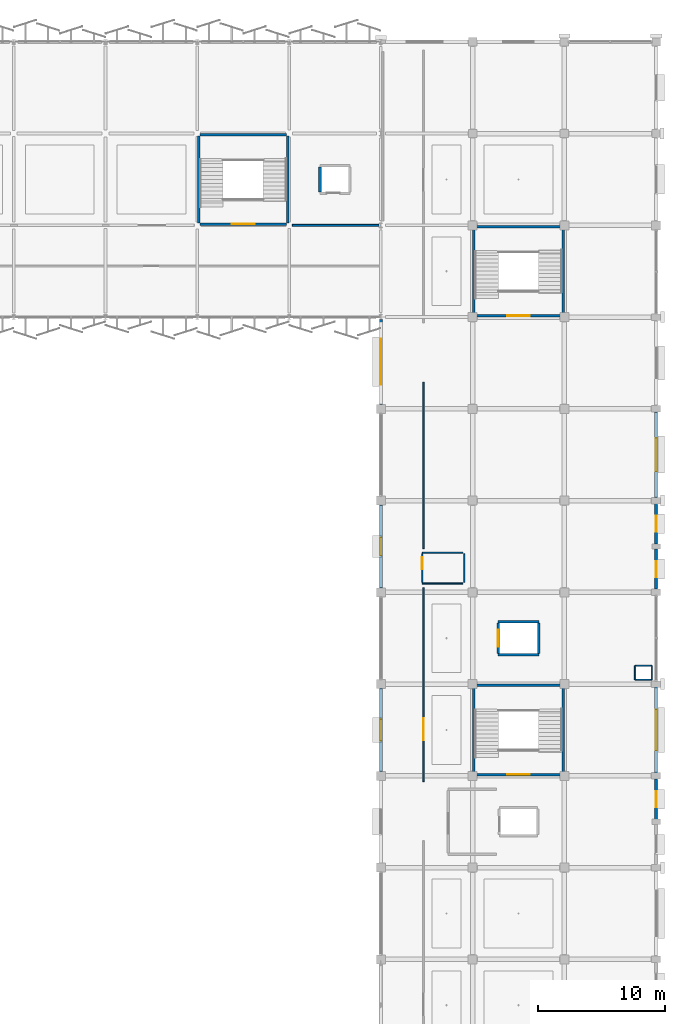
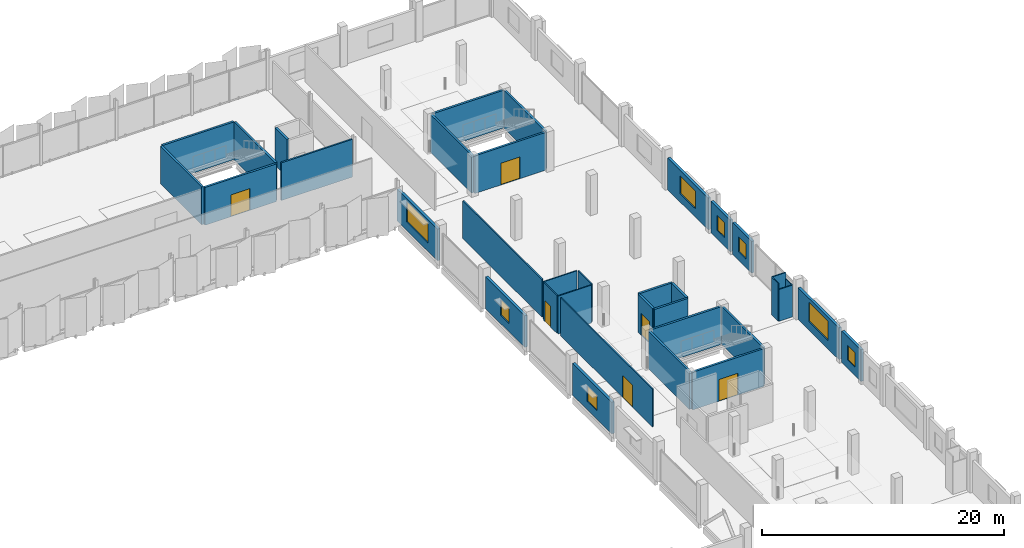
# One storey, part 72 of 91: 36 walls, 8 windows, 6 doors, 14 openings.
"""IFC4 building model written with IfcOpenShell, lengths in metres."""

from ifc_helpers import new_model, si_unit, direction, frame, frame_2d, origin, place, context, subcontext, project, spatial, rectangle, extrude, material, layer, layer_set, type_object, element, fill, save


model = new_model("IFC4")

# Units and contexts
model_context = context("Model", 3, precision=1e-05, world=origin(), true_north=direction((0.0, 1.0)))
body_context = subcontext(model_context, "Body", "Model", "MODEL_VIEW")
ifc_project = project(units=[si_unit("LENGTHUNIT", "METRE"), si_unit("AREAUNIT", "SQUARE_METRE"), si_unit("VOLUMEUNIT", "CUBIC_METRE"), si_unit("PLANEANGLEUNIT", "RADIAN"), si_unit("MASSUNIT", "GRAM", prefix="KILO")], contexts=[model_context])

# Site, building, storey
site_placement = place(None, origin())
site = spatial("IfcSite", under=ifc_project, at=site_placement, CompositionType="ELEMENT")
building_placement = place(site_placement, origin())
building = spatial("IfcBuilding", under=site, at=building_placement, Name="Kangsadwip Square Police Headquarters", CompositionType="ELEMENT")
storey_placement = place(building_placement, frame((0.0, 0.0, 13.5)))
storey = spatial("IfcBuildingStorey", under=building, at=storey_placement, Name="L03", CompositionType="ELEMENT", Elevation=13.5)

# Wall, opening, door
ifc_material_1 = material(Name="Fire-rated double gypsum board acoustic stud partition", Category="masonry")
ifc_layer_1 = layer(ifc_material_1, 0.1201171875)
ifc_layer_set_1 = layer_set([ifc_layer_1], Name="Fire-rated double gypsum board acoustic stud partition")
wall_type_1 = type_object("IfcWallType", Name="AcousticPartition120", PredefinedType="PARTITIONING", material=ifc_layer_set_1)
wall_1_placement = place(storey_placement, frame((147.35009765625, 57.14990234375, 0.0), z_axis=(0.0, 0.0, 1.0), x_axis=(0.0, 1.0, 0.0)))
wall_1 = element("IfcWall", 1, at=wall_1_placement, inside=storey, type_object=wall_type_1, Name="Interior Wall WI-L03-0825", PredefinedType="PARTITIONING", context=body_context, shape_type="SweptSolid", body=[
    extrude(rectangle(XDim=15.22021484375, YDim=0.1201171875, at=frame_2d((7.610107421875, 0.0))), origin(), (0.0, 0.0, 1.0), 3.81005859375),
])
opening_1_placement = place(wall_1_placement, frame((3.2548828125, 0.0, 0.0)))
opening_1 = element("IfcOpeningElement", 2, at=opening_1_placement, cuts=wall_1, Name="Opening ID-17", PredefinedType="OPENING", context=body_context, shape_type="SweptSolid", body=[
    extrude(rectangle(XDim=1.699951171875, YDim=2.199951171875, at=frame_2d((0.85009765625, 1.10009765625))), frame((0.0, 0.070068359375, 0.0), z_axis=(0.0, -1.0, 0.0), x_axis=(1.0, 0.0, 0.0)), (0.0, 0.0, 1.0), 0.14013671875),
])
ifc_material_2 = material(Name="Insulated galvanized steel fire-rated door assembly", Category="steel")
door_type_1 = type_object("IfcDoorType", Name="LabDoubleDoor1700x2200", OperationType="DOUBLE_DOOR_SINGLE_SWING", PredefinedType="DOOR", material=ifc_material_2)
door_1_placement = place(opening_1_placement, origin())
door_1 = element("IfcDoor", 3, at=door_1_placement, inside=storey, type_object=door_type_1, Name="Interior Door ID-L03-0217", OperationType="DOUBLE_DOOR_SINGLE_SWING", OverallHeight=2.199951171875, OverallWidth=1.699951171875, PredefinedType="DOOR", context=body_context, shape_type="SweptSolid", body=[
    extrude(rectangle(XDim=1.699951171875, YDim=2.199951171875, at=frame_2d((0.85009765625, 1.10009765625))), frame((0.0, 0.02490234375, 0.0), z_axis=(0.0, -1.0, 0.0), x_axis=(1.0, 0.0, 0.0)), (0.0, 0.0, 1.0), 0.050048828125),
])
fill(opening_1, door_1)

# Walls
wall_2_placement = place(storey_placement, frame((147.35009765625, 75.429931640625, 0.0), z_axis=(0.0, 0.0, 1.0), x_axis=(0.0, 1.0, 0.0)))
element("IfcWall", 4, at=wall_2_placement, inside=storey, type_object=wall_type_1, Name="Interior Wall WI-L03-0826", PredefinedType="PARTITIONING", context=body_context, shape_type="SweptSolid", body=[
    extrude(rectangle(XDim=13.070068359375, YDim=0.1201171875, at=frame_2d((6.53515625, 0.0))), origin(), (0.0, 0.0, 1.0), 3.81005859375),
])
ifc_material_3 = material(Name="Autoclaved aerated concrete blockwork masonry", Category="masonry")
ifc_layer_2 = layer(ifc_material_3, 0.14990234375)
ifc_layer_set_2 = layer_set([ifc_layer_2], Name="Autoclaved aerated concrete blockwork masonry")
wall_type_2 = type_object("IfcWallType", Name="BlockPartition150", PredefinedType="PARTITIONING", material=ifc_layer_set_2)
wall_3_placement = place(storey_placement, frame((137.050048828125, 100.800048828125, 0.0), z_axis=(0.0, 0.0, 1.0), x_axis=(1.0, 0.0, 0.0)))
element("IfcWall", 5, at=wall_3_placement, inside=storey, type_object=wall_type_2, Name="Interior Wall WI-L03-0817", PredefinedType="PARTITIONING", context=body_context, shape_type="SweptSolid", body=[
    extrude(rectangle(XDim=6.800048828125, YDim=0.14990234375, at=frame_2d((3.39990234375, 0.0))), origin(), (0.0, 0.0, 1.0), 3.81005859375),
])

# Wall, opening, window
ifc_material_4 = material(Name="Glazed architectural terracotta masonry rainscreen", Category="masonry")
ifc_layer_3 = layer(ifc_material_4, 0.25)
ifc_layer_set_3 = layer_set([ifc_layer_3], Name="Glazed architectural terracotta masonry rainscreen")
wall_type_3 = type_object("IfcWallType", Name="ChicagoTerracottaWall250", PredefinedType="SOLIDWALL", material=ifc_layer_set_3)
wall_4_placement = place(storey_placement, frame((144.0, 57.945068359375, 0.0), z_axis=(0.0, 0.0, 1.0), x_axis=(0.0, 1.0, 0.0)))
wall_4 = element("IfcWall", 6, at=wall_4_placement, inside=storey, type_object=wall_type_3, Name="Exterior Wall WE-L03-404", PredefinedType="SOLIDWALL", context=body_context, shape_type="SweptSolid", body=[
    extrude(rectangle(XDim=6.510009765625, YDim=0.25, at=frame_2d((3.2548828125, 0.0))), origin(), (0.0, 0.0, 1.0), 3.195068359375),
])
opening_2_placement = place(wall_4_placement, frame((2.429931640625, 0.0, 0.85009765625)))
opening_2 = element("IfcOpeningElement", 7, at=opening_2_placement, cuts=wall_4, Name="Opening WN-11", PredefinedType="OPENING", context=body_context, shape_type="SweptSolid", body=[
    extrude(rectangle(XDim=1.64990234375, YDim=1.550048828125, at=frame_2d((0.824951171875, 0.77490234375))), frame((0.0, 0.135009765625, 0.0), z_axis=(0.0, -1.0, 0.0), x_axis=(1.0, 0.0, 0.0)), (0.0, 0.0, 1.0), 0.27001953125),
])
ifc_material_5 = material(Name="Double-glazed solar-control low-E safety glass", Category="glass")
window_type_1 = type_object("IfcWindowType", Name="LabCleanViewWin1650x1550", PartitioningType="SINGLE_PANEL", PredefinedType="WINDOW", material=ifc_material_5)
window_1_placement = place(opening_2_placement, origin())
window_1 = element("IfcWindow", 8, at=window_1_placement, inside=storey, type_object=window_type_1, Name="Window WN-L03-0255", OverallHeight=1.550048828125, OverallWidth=1.64990234375, PartitioningType="SINGLE_PANEL", PredefinedType="WINDOW", context=body_context, shape_type="SweptSolid", body=[
    extrude(rectangle(XDim=1.64990234375, YDim=1.550048828125, at=frame_2d((0.824951171875, 0.77490234375))), frame((0.0, 0.030029296875, 0.0), z_axis=(0.0, -1.0, 0.0), x_axis=(1.0, 0.0, 0.0)), (0.0, 0.0, 1.0), 0.06005859375),
])
fill(opening_2, window_1)

wall_5_placement = place(storey_placement, frame((144.0, 72.344970703125, 0.0), z_axis=(0.0, 0.0, 1.0), x_axis=(0.0, 1.0, 0.0)))
wall_5 = element("IfcWall", 9, at=wall_5_placement, inside=storey, type_object=wall_type_3, Name="Exterior Wall WE-L03-405", PredefinedType="SOLIDWALL", context=body_context, shape_type="SweptSolid", body=[
    extrude(rectangle(XDim=6.510009765625, YDim=0.25, at=frame_2d((3.2548828125, 0.0))), origin(), (0.0, 0.0, 1.0), 3.195068359375),
])
opening_3_placement = place(wall_5_placement, frame((2.554931640625, 0.0, 0.85009765625)))
opening_3 = element("IfcOpeningElement", 10, at=opening_3_placement, cuts=wall_5, Name="Opening WN-13", PredefinedType="OPENING", context=body_context, shape_type="SweptSolid", body=[
    extrude(rectangle(XDim=1.39990234375, YDim=1.60009765625, at=frame_2d((0.699951171875, 0.800048828125))), frame((0.0, 0.135009765625, 0.0), z_axis=(0.0, -1.0, 0.0), x_axis=(1.0, 0.0, 0.0)), (0.0, 0.0, 1.0), 0.27001953125),
])
ifc_material_6 = material(Name="Double-glazed solar-control low-E safety glass", Category="glass")
window_type_2 = type_object("IfcWindowType", Name="OfficeCasementWin1400x1600", PartitioningType="SINGLE_PANEL", PredefinedType="WINDOW", material=ifc_material_6)
window_2_placement = place(opening_3_placement, origin())
window_2 = element("IfcWindow", 11, at=window_2_placement, inside=storey, type_object=window_type_2, Name="Window WN-L03-0256", OverallHeight=1.60009765625, OverallWidth=1.39990234375, PartitioningType="SINGLE_PANEL", PredefinedType="WINDOW", context=body_context, shape_type="SweptSolid", body=[
    extrude(rectangle(XDim=1.39990234375, YDim=1.60009765625, at=frame_2d((0.699951171875, 0.800048828125))), frame((0.0, 0.030029296875, 0.0), z_axis=(0.0, -1.0, 0.0), x_axis=(1.0, 0.0, 0.0)), (0.0, 0.0, 1.0), 0.06005859375),
])
fill(opening_3, window_2)

wall_6_placement = place(storey_placement, frame((144.0, 86.7451171875, 0.0), z_axis=(0.0, 0.0, 1.0), x_axis=(0.0, 1.0, 0.0)))
wall_6 = element("IfcWall", 12, at=wall_6_placement, inside=storey, type_object=wall_type_3, Name="Exterior Wall WE-L03-406", PredefinedType="SOLIDWALL", context=body_context, shape_type="SweptSolid", body=[
    extrude(rectangle(XDim=6.677001953125, YDim=0.25, at=frame_2d((3.33837890625, 0.0))), origin(), (0.0, 0.0, 1.0), 3.195068359375),
])
opening_4_placement = place(wall_6_placement, frame((1.53857421875, 0.0, 0.85009765625)))
opening_4 = element("IfcOpeningElement", 13, at=opening_4_placement, cuts=wall_6, Name="Opening WN-01", PredefinedType="OPENING", context=body_context, shape_type="SweptSolid", body=[
    extrude(rectangle(XDim=3.60009765625, YDim=2.050048828125, at=frame_2d((1.800048828125, 1.02490234375))), frame((0.0, 0.135009765625, 0.0), z_axis=(0.0, -1.0, 0.0), x_axis=(1.0, 0.0, 0.0)), (0.0, 0.0, 1.0), 0.27001953125),
])
ifc_material_7 = material(Name="Double-glazed solar-control low-E safety glass", Category="glass")
window_type_3 = type_object("IfcWindowType", Name="ChicagoTripartiteWin3600x2050", PartitioningType="TRIPLE_PANEL_HORIZONTAL", PredefinedType="WINDOW", material=ifc_material_7)
window_3_placement = place(opening_4_placement, origin())
window_3 = element("IfcWindow", 14, at=window_3_placement, inside=storey, type_object=window_type_3, Name="Window WN-L03-0257", OverallHeight=2.050048828125, OverallWidth=3.60009765625, PartitioningType="SINGLE_PANEL", PredefinedType="WINDOW", context=body_context, shape_type="SweptSolid", body=[
    extrude(rectangle(XDim=3.60009765625, YDim=2.050048828125, at=frame_2d((1.800048828125, 1.02490234375))), frame((0.0, 0.030029296875, 0.0), z_axis=(0.0, -1.0, 0.0), x_axis=(1.0, 0.0, 0.0)), (0.0, 0.0, 1.0), 0.06005859375),
])
fill(opening_4, window_3)

wall_7_placement = place(storey_placement, frame((165.60009765625, 54.195068359375, 0.0), z_axis=(0.0, 0.0, 1.0), x_axis=(0.0, 1.0, 0.0)))
wall_7 = element("IfcWall", 15, at=wall_7_placement, inside=storey, type_object=wall_type_3, Name="Exterior Wall WE-L03-413", PredefinedType="SOLIDWALL", context=body_context, shape_type="SweptSolid", body=[
    extrude(rectangle(XDim=3.159912109375, YDim=0.25, at=frame_2d((1.580078125, 0.0))), origin(), (0.0, 0.0, 1.0), 3.195068359375),
])
opening_5_placement = place(wall_7_placement, frame((0.955078125, 0.0, 0.85009765625)))
opening_5 = element("IfcOpeningElement", 16, at=opening_5_placement, cuts=wall_7, Name="Opening WN-14", PredefinedType="OPENING", context=body_context, shape_type="SweptSolid", body=[
    extrude(rectangle(XDim=1.25, YDim=1.5, at=frame_2d((0.625, 0.75))), frame((0.0, 0.135009765625, 0.0), z_axis=(0.0, -1.0, 0.0), x_axis=(1.0, 0.0, 0.0)), (0.0, 0.0, 1.0), 0.27001953125),
])
ifc_material_8 = material(Name="Double-glazed solar-control low-E safety glass", Category="glass")
window_type_4 = type_object("IfcWindowType", Name="OfficeCasementWin1250x1500", PartitioningType="SINGLE_PANEL", PredefinedType="WINDOW", material=ifc_material_8)
window_4_placement = place(opening_5_placement, origin())
window_4 = element("IfcWindow", 17, at=window_4_placement, inside=storey, type_object=window_type_4, Name="Window WN-L03-0264", OverallHeight=1.5, OverallWidth=1.25, PartitioningType="SINGLE_PANEL", PredefinedType="WINDOW", context=body_context, shape_type="SweptSolid", body=[
    extrude(rectangle(XDim=1.25, YDim=1.5, at=frame_2d((0.625, 0.75))), frame((0.0, 0.030029296875, 0.0), z_axis=(0.0, -1.0, 0.0), x_axis=(1.0, 0.0, 0.0)), (0.0, 0.0, 1.0), 0.06005859375),
])
fill(opening_5, window_4)

wall_8_placement = place(storey_placement, frame((165.60009765625, 57.844970703125, 0.0), z_axis=(0.0, 0.0, 1.0), x_axis=(0.0, 1.0, 0.0)))
wall_8 = element("IfcWall", 18, at=wall_8_placement, inside=storey, type_object=wall_type_3, Name="Exterior Wall WE-L03-414", PredefinedType="SOLIDWALL", context=body_context, shape_type="SweptSolid", body=[
    extrude(rectangle(XDim=6.7099609375, YDim=0.25, at=frame_2d((3.35498046875, 0.0))), origin(), (0.0, 0.0, 1.0), 3.195068359375),
])
opening_6_placement = place(wall_8_placement, frame((1.7548828125, 0.0, 0.85009765625)))
opening_6 = element("IfcOpeningElement", 19, at=opening_6_placement, cuts=wall_8, Name="Opening WN-03", PredefinedType="OPENING", context=body_context, shape_type="SweptSolid", body=[
    extrude(rectangle(XDim=3.199951171875, YDim=1.949951171875, at=frame_2d((1.60009765625, 0.97509765625))), frame((0.0, 0.135009765625, 0.0), z_axis=(0.0, -1.0, 0.0), x_axis=(1.0, 0.0, 0.0)), (0.0, 0.0, 1.0), 0.27001953125),
])
ifc_material_9 = material(Name="Double-glazed solar-control low-E safety glass", Category="glass")
window_type_5 = type_object("IfcWindowType", Name="ChicagoTripartiteWin3200x1950", PartitioningType="TRIPLE_PANEL_HORIZONTAL", PredefinedType="WINDOW", material=ifc_material_9)
window_5_placement = place(opening_6_placement, origin())
window_5 = element("IfcWindow", 20, at=window_5_placement, inside=storey, type_object=window_type_5, Name="Window WN-L03-0265", OverallHeight=1.949951171875, OverallWidth=3.199951171875, PartitioningType="SINGLE_PANEL", PredefinedType="WINDOW", context=body_context, shape_type="SweptSolid", body=[
    extrude(rectangle(XDim=3.199951171875, YDim=1.949951171875, at=frame_2d((1.60009765625, 0.97509765625))), frame((0.0, 0.030029296875, 0.0), z_axis=(0.0, -1.0, 0.0), x_axis=(1.0, 0.0, 0.0)), (0.0, 0.0, 1.0), 0.06005859375),
])
fill(opening_6, window_5)

wall_9_placement = place(storey_placement, frame((165.60009765625, 72.2451171875, 0.0), z_axis=(0.0, 0.0, 1.0), x_axis=(0.0, 1.0, 0.0)))
wall_9 = element("IfcWall", 21, at=wall_9_placement, inside=storey, type_object=wall_type_3, Name="Exterior Wall WE-L03-415", PredefinedType="SOLIDWALL", context=body_context, shape_type="SweptSolid", body=[
    extrude(rectangle(XDim=3.159912109375, YDim=0.25, at=frame_2d((1.580078125, 0.0))), origin(), (0.0, 0.0, 1.0), 3.195068359375),
])
opening_7_placement = place(wall_9_placement, frame((0.955078125, 0.0, 0.85009765625)))
opening_7 = element("IfcOpeningElement", 22, at=opening_7_placement, cuts=wall_9, Name="Opening WN-14", PredefinedType="OPENING", context=body_context, shape_type="SweptSolid", body=[
    extrude(rectangle(XDim=1.25, YDim=1.5, at=frame_2d((0.625, 0.75))), frame((0.0, 0.135009765625, 0.0), z_axis=(0.0, -1.0, 0.0), x_axis=(1.0, 0.0, 0.0)), (0.0, 0.0, 1.0), 0.27001953125),
])
window_6_placement = place(opening_7_placement, origin())
window_6 = element("IfcWindow", 23, at=window_6_placement, inside=storey, type_object=window_type_4, Name="Window WN-L03-0266", OverallHeight=1.5, OverallWidth=1.25, PartitioningType="SINGLE_PANEL", PredefinedType="WINDOW", context=body_context, shape_type="SweptSolid", body=[
    extrude(rectangle(XDim=1.25, YDim=1.5, at=frame_2d((0.625, 0.75))), frame((0.0, 0.030029296875, 0.0), z_axis=(0.0, -1.0, 0.0), x_axis=(1.0, 0.0, 0.0)), (0.0, 0.0, 1.0), 0.06005859375),
])
fill(opening_7, window_6)

wall_10_placement = place(storey_placement, frame((165.60009765625, 75.794921875, 0.0), z_axis=(0.0, 0.0, 1.0), x_axis=(0.0, 1.0, 0.0)))
wall_10 = element("IfcWall", 24, at=wall_10_placement, inside=storey, type_object=wall_type_3, Name="Exterior Wall WE-L03-416", PredefinedType="SOLIDWALL", context=body_context, shape_type="SweptSolid", body=[
    extrude(rectangle(XDim=3.16015625, YDim=0.25, at=frame_2d((1.580078125, 0.0))), origin(), (0.0, 0.0, 1.0), 3.195068359375),
])
opening_8_placement = place(wall_10_placement, frame((0.955078125, 0.0, 0.85009765625)))
opening_8 = element("IfcOpeningElement", 25, at=opening_8_placement, cuts=wall_10, Name="Opening WN-14", PredefinedType="OPENING", context=body_context, shape_type="SweptSolid", body=[
    extrude(rectangle(XDim=1.25, YDim=1.5, at=frame_2d((0.625, 0.75))), frame((0.0, 0.135009765625, 0.0), z_axis=(0.0, -1.0, 0.0), x_axis=(1.0, 0.0, 0.0)), (0.0, 0.0, 1.0), 0.27001953125),
])
window_7_placement = place(opening_8_placement, origin())
window_7 = element("IfcWindow", 26, at=window_7_placement, inside=storey, type_object=window_type_4, Name="Window WN-L03-0267", OverallHeight=1.5, OverallWidth=1.25, PartitioningType="SINGLE_PANEL", PredefinedType="WINDOW", context=body_context, shape_type="SweptSolid", body=[
    extrude(rectangle(XDim=1.25, YDim=1.5, at=frame_2d((0.625, 0.75))), frame((0.0, 0.030029296875, 0.0), z_axis=(0.0, -1.0, 0.0), x_axis=(1.0, 0.0, 0.0)), (0.0, 0.0, 1.0), 0.06005859375),
])
fill(opening_8, window_7)

wall_11_placement = place(storey_placement, frame((165.60009765625, 79.445068359375, 0.0), z_axis=(0.0, 0.0, 1.0), x_axis=(0.0, 1.0, 0.0)))
wall_11 = element("IfcWall", 27, at=wall_11_placement, inside=storey, type_object=wall_type_3, Name="Exterior Wall WE-L03-417", PredefinedType="SOLIDWALL", context=body_context, shape_type="SweptSolid", body=[
    extrude(rectangle(XDim=6.7099609375, YDim=0.25, at=frame_2d((3.35498046875, 0.0))), origin(), (0.0, 0.0, 1.0), 3.195068359375),
])
opening_9_placement = place(wall_11_placement, frame((2.054931640625, 0.0, 0.85009765625)))
opening_9 = element("IfcOpeningElement", 28, at=opening_9_placement, cuts=wall_11, Name="Opening WN-06", PredefinedType="OPENING", context=body_context, shape_type="SweptSolid", body=[
    extrude(rectangle(XDim=2.60009765625, YDim=1.800048828125, at=frame_2d((1.300048828125, 0.89990234375))), frame((0.0, 0.135009765625, 0.0), z_axis=(0.0, -1.0, 0.0), x_axis=(1.0, 0.0, 0.0)), (0.0, 0.0, 1.0), 0.27001953125),
])
ifc_material_10 = material(Name="Double-glazed solar-control low-E safety glass", Category="glass")
window_type_6 = type_object("IfcWindowType", Name="ChicagoDoubleMullWin2600x1800", PartitioningType="DOUBLE_PANEL_VERTICAL", PredefinedType="WINDOW", material=ifc_material_10)
window_8_placement = place(opening_9_placement, origin())
window_8 = element("IfcWindow", 29, at=window_8_placement, inside=storey, type_object=window_type_6, Name="Window WN-L03-0268", OverallHeight=1.800048828125, OverallWidth=2.60009765625, PartitioningType="SINGLE_PANEL", PredefinedType="WINDOW", context=body_context, shape_type="SweptSolid", body=[
    extrude(rectangle(XDim=2.60009765625, YDim=1.800048828125, at=frame_2d((1.300048828125, 0.89990234375))), frame((0.0, 0.030029296875, 0.0), z_axis=(0.0, -1.0, 0.0), x_axis=(1.0, 0.0, 0.0)), (0.0, 0.0, 1.0), 0.06005859375),
])
fill(opening_9, window_8)

# Wall, opening, door
ifc_material_11 = material(Name="Concrete M40 (40 MPa)", Category="concrete")
ifc_layer_4 = layer(ifc_material_11, 0.199951171875)
ifc_layer_set_4 = layer_set([ifc_layer_4], Name="Concrete M40 (40 MPa)")
wall_type_4 = type_object("IfcWallType", Name="CoreShearWall200", PredefinedType="SHEAR", material=ifc_layer_set_4)
wall_12_placement = place(storey_placement, frame((151.39990234375, 57.699951171875, 0.0), z_axis=(0.0, 0.0, 1.0), x_axis=(1.0, 0.0, 0.0)))
wall_12 = element("IfcWall", 30, at=wall_12_placement, inside=storey, type_object=wall_type_4, Name="Interior Wall WI-L03-0105", PredefinedType="SHEAR", context=body_context, shape_type="SweptSolid", body=[
    extrude(rectangle(XDim=6.800048828125, YDim=0.199951171875, at=frame_2d((3.39990234375, 0.0))), origin(), (0.0, 0.0, 1.0), 3.81005859375),
])
opening_10_placement = place(wall_12_placement, frame((2.5, 0.0, 0.0)))
opening_10 = element("IfcOpeningElement", 31, at=opening_10_placement, cuts=wall_12, Name="Opening FD-18", PredefinedType="OPENING", context=body_context, shape_type="SweptSolid", body=[
    extrude(rectangle(XDim=1.800048828125, YDim=2.199951171875, at=frame_2d((0.89990234375, 1.10009765625))), frame((0.0, 0.10986328125, 0.0), z_axis=(0.0, -1.0, 0.0), x_axis=(1.0, 0.0, 0.0)), (0.0, 0.0, 1.0), 0.219970703125),
])
ifc_material_12 = material(Name="Insulated galvanized steel fire-rated door assembly", Category="steel")
door_type_2 = type_object("IfcDoorType", Name="StairFireDoor1800x2200", OperationType="DOUBLE_DOOR_SINGLE_SWING", PredefinedType="DOOR", material=ifc_material_12)
door_2_placement = place(opening_10_placement, origin())
door_2 = element("IfcDoor", 32, at=door_2_placement, inside=storey, type_object=door_type_2, Name="Interior Door ID-L03-0023", OperationType="DOUBLE_DOOR_SINGLE_SWING", OverallHeight=2.199951171875, OverallWidth=1.800048828125, PredefinedType="DOOR", context=body_context, shape_type="SweptSolid", body=[
    extrude(rectangle(XDim=1.800048828125, YDim=2.199951171875, at=frame_2d((0.89990234375, 1.10009765625))), frame((0.0, 0.02490234375, 0.0), z_axis=(0.0, -1.0, 0.0), x_axis=(1.0, 0.0, 0.0)), (0.0, 0.0, 1.0), 0.050048828125),
])
fill(opening_10, door_2)

# Walls
for number, where, z_axis, x_axis, name in (
    (33, (151.39990234375, 64.699951171875, 0.0), (0.0, 0.0, 1.0), (1.0, 0.0, 0.0), "Interior Wall WI-L03-0106"),
    (34, (151.300048828125, 57.800048828125, 0.0), (0.0, 0.0, 1.0), (0.0, 1.0, 0.0), "Interior Wall WI-L03-0107"),
    (35, (158.300048828125, 57.800048828125, 0.0), (0.0, 0.0, 1.0), (0.0, 1.0, 0.0), "Interior Wall WI-L03-0108"),
):
    element("IfcWall", number, at=place(storey_placement, frame(where, z_axis=z_axis, x_axis=x_axis)), inside=storey, type_object=wall_type_4, Name=name, PredefinedType="SHEAR", context=body_context, shape_type="SweptSolid", body=[
        extrude(rectangle(XDim=6.800048828125, YDim=0.199951171875, at=frame_2d((3.39990234375, 0.0))), origin(), (0.0, 0.0, 1.0), 3.81005859375),
    ])

# Wall, opening, door
wall_13_placement = place(storey_placement, frame((151.39990234375, 93.699951171875, 0.0), z_axis=(0.0, 0.0, 1.0), x_axis=(1.0, 0.0, 0.0)))
wall_13 = element("IfcWall", 36, at=wall_13_placement, inside=storey, type_object=wall_type_4, Name="Interior Wall WI-L03-0141", PredefinedType="SHEAR", context=body_context, shape_type="SweptSolid", body=[
    extrude(rectangle(XDim=6.800048828125, YDim=0.199951171875, at=frame_2d((3.39990234375, 0.0))), origin(), (0.0, 0.0, 1.0), 3.81005859375),
])
opening_11_placement = place(wall_13_placement, frame((2.5, 0.0, 0.0)))
opening_11 = element("IfcOpeningElement", 37, at=opening_11_placement, cuts=wall_13, Name="Opening FD-18", PredefinedType="OPENING", context=body_context, shape_type="SweptSolid", body=[
    extrude(rectangle(XDim=1.800048828125, YDim=2.199951171875, at=frame_2d((0.89990234375, 1.10009765625))), frame((0.0, 0.10986328125, 0.0), z_axis=(0.0, -1.0, 0.0), x_axis=(1.0, 0.0, 0.0)), (0.0, 0.0, 1.0), 0.219970703125),
])
door_3_placement = place(opening_11_placement, origin())
door_3 = element("IfcDoor", 38, at=door_3_placement, inside=storey, type_object=door_type_2, Name="Interior Door ID-L03-0032", OperationType="DOUBLE_DOOR_SINGLE_SWING", OverallHeight=2.199951171875, OverallWidth=1.800048828125, PredefinedType="DOOR", context=body_context, shape_type="SweptSolid", body=[
    extrude(rectangle(XDim=1.800048828125, YDim=2.199951171875, at=frame_2d((0.89990234375, 1.10009765625))), frame((0.0, 0.02490234375, 0.0), z_axis=(0.0, -1.0, 0.0), x_axis=(1.0, 0.0, 0.0)), (0.0, 0.0, 1.0), 0.050048828125),
])
fill(opening_11, door_3)

# Walls
for number, where, z_axis, x_axis, name in (
    (39, (151.39990234375, 100.699951171875, 0.0), (0.0, 0.0, 1.0), (1.0, 0.0, 0.0), "Interior Wall WI-L03-0142"),
    (40, (151.300048828125, 93.800048828125, 0.0), (0.0, 0.0, 1.0), (0.0, 1.0, 0.0), "Interior Wall WI-L03-0143"),
    (41, (158.300048828125, 93.800048828125, 0.0), (0.0, 0.0, 1.0), (0.0, 1.0, 0.0), "Interior Wall WI-L03-0144"),
):
    element("IfcWall", number, at=place(storey_placement, frame(where, z_axis=z_axis, x_axis=x_axis)), inside=storey, type_object=wall_type_4, Name=name, PredefinedType="SHEAR", context=body_context, shape_type="SweptSolid", body=[
        extrude(rectangle(XDim=6.800048828125, YDim=0.199951171875, at=frame_2d((3.39990234375, 0.0))), origin(), (0.0, 0.0, 1.0), 3.81005859375),
    ])

# Wall, opening, door
wall_14_placement = place(storey_placement, frame((129.800048828125, 100.89990234375, 0.0), z_axis=(0.0, 0.0, 1.0), x_axis=(1.0, 0.0, 0.0)))
wall_14 = element("IfcWall", 42, at=wall_14_placement, inside=storey, type_object=wall_type_4, Name="Interior Wall WI-L03-0169", PredefinedType="SHEAR", context=body_context, shape_type="SweptSolid", body=[
    extrude(rectangle(XDim=6.800048828125, YDim=0.199951171875, at=frame_2d((3.39990234375, 0.0))), origin(), (0.0, 0.0, 1.0), 3.81005859375),
])
opening_12_placement = place(wall_14_placement, frame((2.5, 0.0, 0.0)))
opening_12 = element("IfcOpeningElement", 43, at=opening_12_placement, cuts=wall_14, Name="Opening FD-18", PredefinedType="OPENING", context=body_context, shape_type="SweptSolid", body=[
    extrude(rectangle(XDim=1.800048828125, YDim=2.199951171875, at=frame_2d((0.89990234375, 1.10009765625))), frame((0.0, 0.10986328125, 0.0), z_axis=(0.0, -1.0, 0.0), x_axis=(1.0, 0.0, 0.0)), (0.0, 0.0, 1.0), 0.219970703125),
])
door_4_placement = place(opening_12_placement, origin())
door_4 = element("IfcDoor", 44, at=door_4_placement, inside=storey, type_object=door_type_2, Name="Interior Door ID-L03-0038", OperationType="DOUBLE_DOOR_SINGLE_SWING", OverallHeight=2.199951171875, OverallWidth=1.800048828125, PredefinedType="DOOR", context=body_context, shape_type="SweptSolid", body=[
    extrude(rectangle(XDim=1.800048828125, YDim=2.199951171875, at=frame_2d((0.89990234375, 1.10009765625))), frame((0.0, 0.02490234375, 0.0), z_axis=(0.0, -1.0, 0.0), x_axis=(1.0, 0.0, 0.0)), (0.0, 0.0, 1.0), 0.050048828125),
])
fill(opening_12, door_4)

# Walls
for number, where, z_axis, x_axis, name in (
    (45, (129.800048828125, 107.89990234375, 0.0), (0.0, 0.0, 1.0), (1.0, 0.0, 0.0), "Interior Wall WI-L03-0170"),
    (46, (129.699951171875, 101.0, 0.0), (0.0, 0.0, 1.0), (0.0, 1.0, 0.0), "Interior Wall WI-L03-0171"),
    (47, (136.699951171875, 101.0, 0.0), (0.0, 0.0, 1.0), (0.0, 1.0, 0.0), "Interior Wall WI-L03-0172"),
):
    element("IfcWall", number, at=place(storey_placement, frame(where, z_axis=z_axis, x_axis=x_axis)), inside=storey, type_object=wall_type_4, Name=name, PredefinedType="SHEAR", context=body_context, shape_type="SweptSolid", body=[
        extrude(rectangle(XDim=6.800048828125, YDim=0.199951171875, at=frame_2d((3.39990234375, 0.0))), origin(), (0.0, 0.0, 1.0), 3.81005859375),
    ])
for number, where, z_axis, x_axis, name in (
    (48, (153.199951171875, 67.10009765625, 0.0), (0.0, 0.0, 1.0), (1.0, 0.0, 0.0), "Interior Wall WI-L03-0443"),
    (49, (153.199951171875, 69.699951171875, 0.0), (0.0, 0.0, 1.0), (1.0, 0.0, 0.0), "Interior Wall WI-L03-0444"),
):
    element("IfcWall", number, at=place(storey_placement, frame(where, z_axis=z_axis, x_axis=x_axis)), inside=storey, type_object=wall_type_4, Name=name, PredefinedType="SHEAR", context=body_context, shape_type="SweptSolid", body=[
        extrude(rectangle(XDim=3.199951171875, YDim=0.199951171875, at=frame_2d((1.60009765625, 0.0))), origin(), (0.0, 0.0, 1.0), 3.81005859375),
    ])

# Wall, opening, door
wall_15_placement = place(storey_placement, frame((153.199951171875, 67.199951171875, 0.0), z_axis=(0.0, 0.0, 1.0), x_axis=(0.0, 1.0, 0.0)))
wall_15 = element("IfcWall", 50, at=wall_15_placement, inside=storey, type_object=wall_type_4, Name="Interior Wall WI-L03-0445", PredefinedType="SHEAR", context=body_context, shape_type="SweptSolid", body=[
    extrude(rectangle(XDim=2.400146484375, YDim=0.199951171875, at=frame_2d((1.2001953125, 0.0))), origin(), (0.0, 0.0, 1.0), 3.81005859375),
])
opening_13_placement = place(wall_15_placement, frame((0.52490234375, 0.0, 0.0)))
opening_13 = element("IfcOpeningElement", 51, at=opening_13_placement, cuts=wall_15, Name="Opening LD-049", PredefinedType="OPENING", context=body_context, shape_type="SweptSolid", body=[
    extrude(rectangle(XDim=1.35009765625, YDim=2.199951171875, at=frame_2d((0.675048828125, 1.10009765625))), frame((0.0, 0.10986328125, 0.0), z_axis=(0.0, -1.0, 0.0), x_axis=(1.0, 0.0, 0.0)), (0.0, 0.0, 1.0), 0.219970703125),
])
ifc_material_13 = material(Name="Brushed stainless steel automatic sliding lift landing door", Category="steel")
door_type_3 = type_object("IfcDoorType", Name="LiftLandingDoor1350x2200", OperationType="DOUBLE_DOOR_SLIDING", PredefinedType="DOOR", material=ifc_material_13)
door_5_placement = place(opening_13_placement, origin())
door_5 = element("IfcDoor", 52, at=door_5_placement, inside=storey, type_object=door_type_3, Name="Interior Door LD-049", OperationType="DOUBLE_DOOR_SLIDING", OverallHeight=2.199951171875, OverallWidth=1.35009765625, PredefinedType="DOOR", context=body_context, shape_type="SweptSolid", body=[
    extrude(rectangle(XDim=1.35009765625, YDim=2.199951171875, at=frame_2d((0.675048828125, 1.10009765625))), frame((0.0, 0.02490234375, 0.0), z_axis=(0.0, -1.0, 0.0), x_axis=(1.0, 0.0, 0.0)), (0.0, 0.0, 1.0), 0.050048828125),
])
fill(opening_13, door_5)

# Walls
wall_16_placement = place(storey_placement, frame((156.39990234375, 67.199951171875, 0.0), z_axis=(0.0, 0.0, 1.0), x_axis=(0.0, 1.0, 0.0)))
element("IfcWall", 53, at=wall_16_placement, inside=storey, type_object=wall_type_4, Name="Interior Wall WI-L03-0446", PredefinedType="SHEAR", context=body_context, shape_type="SweptSolid", body=[
    extrude(rectangle(XDim=2.400146484375, YDim=0.199951171875, at=frame_2d((1.2001953125, 0.0))), origin(), (0.0, 0.0, 1.0), 3.81005859375),
])
wall_17_placement = place(storey_placement, frame((139.22509765625, 103.425048828125, 0.0), z_axis=(0.0, 0.0, 1.0), x_axis=(0.0, 1.0, 0.0)))
element("IfcWall", 54, at=wall_17_placement, inside=storey, type_object=wall_type_4, Name="Interior Wall WI-L03-0477", PredefinedType="SHEAR", context=body_context, shape_type="SweptSolid", body=[
    extrude(rectangle(XDim=1.949951171875, YDim=0.199951171875, at=frame_2d((0.97509765625, 0.0))), origin(), (0.0, 0.0, 1.0), 3.81005859375),
])
ifc_material_14 = material(Name="Autoclaved aerated concrete blockwork masonry", Category="masonry")
ifc_layer_5 = layer(ifc_material_14, 0.10009765625)
ifc_layer_set_5 = layer_set([ifc_layer_5], Name="Autoclaved aerated concrete blockwork masonry")
wall_type_5 = type_object("IfcWallType", Name="WetWallPartition100", PredefinedType="PARTITIONING", material=ifc_layer_set_5)
wall_18_placement = place(storey_placement, frame((163.949951171875, 65.14990234375, 0.0), z_axis=(0.0, 0.0, 1.0), x_axis=(1.0, 0.0, 0.0)))
element("IfcWall", 55, at=wall_18_placement, inside=storey, type_object=wall_type_5, Name="Interior Wall WI-L03-0619", PredefinedType="PARTITIONING", context=body_context, shape_type="SweptSolid", body=[
    extrude(rectangle(XDim=1.300048828125, YDim=0.10009765625, at=frame_2d((0.64990234375, 0.0))), origin(), (0.0, 0.0, 1.0), 3.199951171875),
])
wall_19_placement = place(storey_placement, frame((163.949951171875, 66.25, 0.0), z_axis=(0.0, 0.0, 1.0), x_axis=(1.0, 0.0, 0.0)))
element("IfcWall", 56, at=wall_19_placement, inside=storey, type_object=wall_type_5, Name="Interior Wall WI-L03-0620", PredefinedType="PARTITIONING", context=body_context, shape_type="SweptSolid", body=[
    extrude(rectangle(XDim=1.300048828125, YDim=0.10009765625, at=frame_2d((0.64990234375, 0.0))), origin(), (0.0, 0.0, 1.0), 3.81005859375),
])
wall_20_placement = place(storey_placement, frame((163.949951171875, 65.14990234375, 0.0), z_axis=(0.0, 0.0, 1.0), x_axis=(0.0, 1.0, 0.0)))
element("IfcWall", 57, at=wall_20_placement, inside=storey, type_object=wall_type_5, Name="Interior Wall WI-L03-0621", PredefinedType="PARTITIONING", context=body_context, shape_type="SweptSolid", body=[
    extrude(rectangle(XDim=1.10009765625, YDim=0.10009765625, at=frame_2d((0.550048828125, 0.0))), origin(), (0.0, 0.0, 1.0), 3.81005859375),
])
wall_21_placement = place(storey_placement, frame((165.25, 65.14990234375, 0.0), z_axis=(0.0, 0.0, 1.0), x_axis=(0.0, 1.0, 0.0)))
element("IfcWall", 58, at=wall_21_placement, inside=storey, type_object=wall_type_5, Name="Interior Wall WI-L03-0622", PredefinedType="PARTITIONING", context=body_context, shape_type="SweptSolid", body=[
    extrude(rectangle(XDim=1.10009765625, YDim=0.10009765625, at=frame_2d((0.550048828125, 0.0))), origin(), (0.0, 0.0, 1.0), 3.199951171875),
])

# Wall, opening, door
wall_22_placement = place(storey_placement, frame((147.25, 72.780029296875, 0.0), z_axis=(0.0, 0.0, 1.0), x_axis=(0.0, 1.0, 0.0)))
wall_22 = element("IfcWall", 59, at=wall_22_placement, inside=storey, type_object=wall_type_5, Name="Interior Wall WI-L03-0808", PredefinedType="PARTITIONING", context=body_context, shape_type="SweptSolid", body=[
    extrude(rectangle(XDim=2.239990234375, YDim=0.10009765625, at=frame_2d((1.1201171875, 0.0))), origin(), (0.0, 0.0, 1.0), 3.81005859375),
])
opening_14_placement = place(wall_22_placement, frame((1.0400390625, 0.0, 0.0)))
opening_14 = element("IfcOpeningElement", 60, at=opening_14_placement, cuts=wall_22, Name="Opening WD-09A", PredefinedType="OPENING", context=body_context, shape_type="SweptSolid", body=[
    extrude(rectangle(XDim=0.949951171875, YDim=2.10009765625, at=frame_2d((0.47509765625, 1.050048828125))), frame((0.0, 0.06005859375, 0.0), z_axis=(0.0, -1.0, 0.0), x_axis=(1.0, 0.0, 0.0)), (0.0, 0.0, 1.0), 0.1201171875),
])
ifc_material_15 = material(Name="Solid-core seasoned teak hardwood architectural door", Category="wood")
door_type_4 = type_object("IfcDoorType", Name="AccessibleWcDoor950x2100", OperationType="NOTDEFINED", PredefinedType="DOOR", material=ifc_material_15)
door_6_placement = place(opening_14_placement, origin())
door_6 = element("IfcDoor", 61, at=door_6_placement, inside=storey, type_object=door_type_4, Name="Interior Door ID-L03-0206", OperationType="SINGLE_SWING_LEFT", OverallHeight=2.10009765625, OverallWidth=0.949951171875, PredefinedType="DOOR", context=body_context, shape_type="SweptSolid", body=[
    extrude(rectangle(XDim=0.949951171875, YDim=2.10009765625, at=frame_2d((0.47509765625, 1.050048828125))), frame((0.0, 0.02490234375, 0.0), z_axis=(0.0, -1.0, 0.0), x_axis=(1.0, 0.0, 0.0)), (0.0, 0.0, 1.0), 0.050048828125),
])
fill(opening_14, door_6)

# Walls
for number, where, z_axis, x_axis, name in (
    (62, (147.25, 72.699951171875, 0.0), (0.0, 0.0, 1.0), (1.0, 0.0, 0.0), "Interior Wall WI-L03-0809"),
    (63, (147.25, 75.10009765625, 0.0), (0.0, 0.0, 1.0), (1.0, 0.0, 0.0), "Interior Wall WI-L03-0810"),
):
    element("IfcWall", number, at=place(storey_placement, frame(where, z_axis=z_axis, x_axis=x_axis)), inside=storey, type_object=wall_type_5, Name=name, PredefinedType="PARTITIONING", context=body_context, shape_type="SweptSolid", body=[
        extrude(rectangle(XDim=3.179931640625, YDim=0.10009765625, at=frame_2d((1.58984375, 0.0))), origin(), (0.0, 0.0, 1.0), 3.81005859375),
    ])
wall_23_placement = place(storey_placement, frame((150.550048828125, 72.780029296875, 0.0), z_axis=(0.0, 0.0, 1.0), x_axis=(0.0, 1.0, 0.0)))
element("IfcWall", 64, at=wall_23_placement, inside=storey, type_object=wall_type_5, Name="Interior Wall WI-L03-0811", PredefinedType="PARTITIONING", context=body_context, shape_type="SweptSolid", body=[
    extrude(rectangle(XDim=2.239990234375, YDim=0.10009765625, at=frame_2d((1.1201171875, 0.0))), origin(), (0.0, 0.0, 1.0), 3.81005859375),
])

save(model, "model.ifc")
